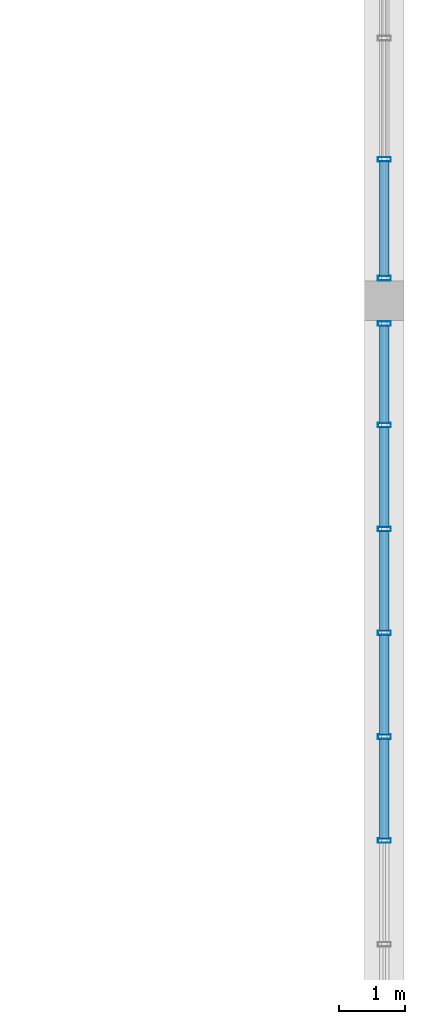
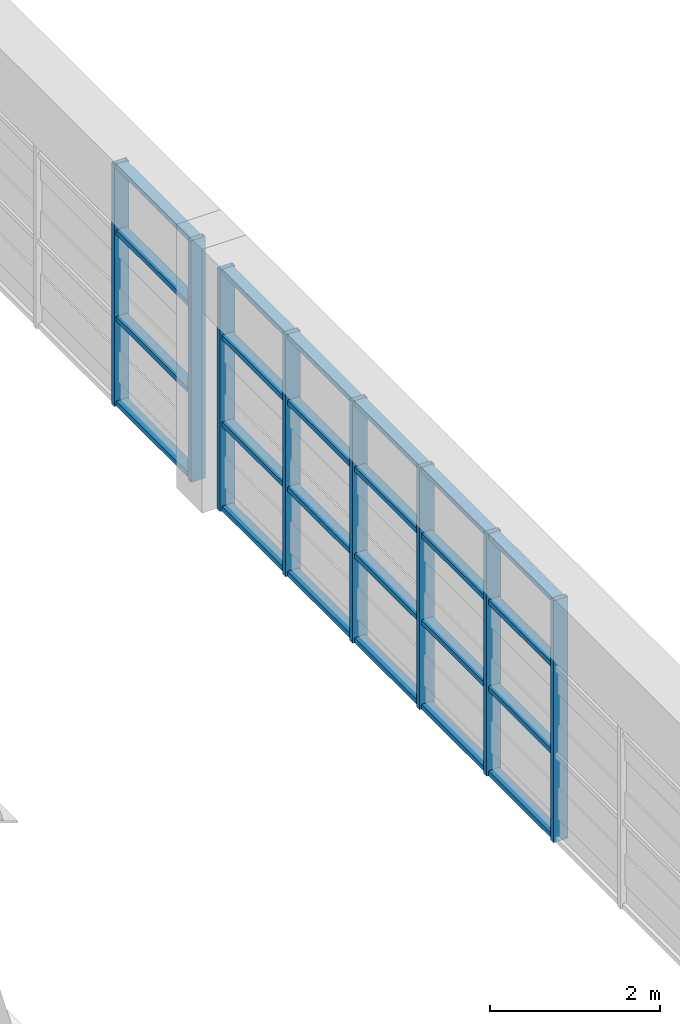
# One storey, part 16 of 27: 32 members, 2 elements without a shape of their own.
"""IFC4 building model written with IfcOpenShell, lengths in metres."""

from ifc_helpers import new_model, si_unit, direction, frame, origin, origin_2d, place, context, subcontext, project, spatial, hollow_rectangle, extrude, source, transform, mapped, material, layer, layer_set, material_profile, profile_set, type_object, element, aggregate, save


model = new_model("IFC4")

# Units and contexts
model_context = context("Model", 3, precision=1e-05, world=origin(), true_north=direction((0.0, 1.0)))
body_context = subcontext(model_context, "Body", "Model", "MODEL_VIEW")
ifc_project = project(units=[si_unit("LENGTHUNIT", "METRE"), si_unit("AREAUNIT", "SQUARE_METRE"), si_unit("VOLUMEUNIT", "CUBIC_METRE"), si_unit("PLANEANGLEUNIT", "RADIAN"), si_unit("MASSUNIT", "GRAM", prefix="KILO")], contexts=[model_context])

# Site, building, storey
site_placement = place(None, origin())
site = spatial("IfcSite", under=ifc_project, at=site_placement, CompositionType="ELEMENT")
building_placement = place(site_placement, origin())
building = spatial("IfcBuilding", under=site, at=building_placement, Name="Saelheon Loggia Tower", CompositionType="ELEMENT")
storey_placement = place(building_placement, frame((0.0, 0.0, 263.60009765625)))
storey = spatial("IfcBuildingStorey", under=building, at=storey_placement, Name="CR4", CompositionType="ELEMENT", Elevation=263.60009765625)

# Curtain wall, members
ifc_material_1 = material(Name="Bronze-Anodised Aluminium and Fritted Ceramic Screen", Category="aluminium")
ifc_layer = layer(ifc_material_1, 0.219970703125)
ifc_layer_set = layer_set([ifc_layer], Name="Bronze-Anodised Aluminium and Fritted Ceramic Screen")
curtain_wall_type = type_object("IfcCurtainWallType", Name="CW_CrownScreen", PredefinedType="NOTDEFINED", material=ifc_layer_set)
curtain_wall_1_placement = place(storey_placement, origin())
curtain_wall_1 = element("IfcCurtainWall", 1, at=curtain_wall_1_placement, inside=storey, type_object=curtain_wall_type, Name="CR4 Crown Screen Curtain Wall 3-2", PredefinedType="NOTDEFINED")
ifc_material_2 = material(Name="Bronze-Anodised Aluminium 6063-T6", Category="aluminium")
ifc_material_profile_1 = material_profile(ifc_material_2, hollow_rectangle(XDim=0.070068359375, YDim=0.199951171875, WallThickness=0.0048828125, at=origin_2d()), Name="RHS-200x70x5")
ifc_profile_set_1 = profile_set([ifc_material_profile_1], Name="Bronze-Anodised Aluminium 6063-T6")
member_type_1 = type_object("IfcMemberType", Name="CW_CrownScreen_Mullion", PredefinedType="MULLION", material=ifc_profile_set_1)
shared_shape_1 = source(origin(), body_context, "Body", "SweptSolid", [
    extrude(hollow_rectangle(XDim=0.070068359375, YDim=0.199951171875, WallThickness=0.0048828125, at=origin_2d()), origin(), (0.0, 0.0, 1.0), 3.47998046875),
])
member_1_placement = place(storey_placement, frame((52.64990234375, 27.7900390625, 0.0), z_axis=(0.0, 0.0, 1.0), x_axis=(0.0, 1.0, 0.0)))
member_1 = element("IfcMember", 2, at=member_1_placement, type_object=member_type_1, Name="CW6 mullion 7", PredefinedType="MULLION", context=body_context, shape_type="MappedRepresentation", body=[
    mapped(shared_shape_1, transform((0.0, 0.0, 0.0), scale=1.0)),
])
member_2_placement = place(storey_placement, frame((52.64990234375, 29.3701171875, 0.0), z_axis=(0.0, 0.0, 1.0), x_axis=(0.0, 1.0, 0.0)))
member_2 = element("IfcMember", 3, at=member_2_placement, type_object=member_type_1, Name="CW6 mullion 8", PredefinedType="MULLION", context=body_context, shape_type="MappedRepresentation", body=[
    mapped(shared_shape_1, transform((0.0, 0.0, 0.0), scale=1.0)),
])
member_3_placement = place(storey_placement, frame((52.64990234375, 30.949951171875, 0.0), z_axis=(0.0, 0.0, 1.0), x_axis=(0.0, 1.0, 0.0)))
member_3 = element("IfcMember", 4, at=member_3_placement, type_object=member_type_1, Name="CW6 mullion 9", PredefinedType="MULLION", context=body_context, shape_type="MappedRepresentation", body=[
    mapped(shared_shape_1, transform((0.0, 0.0, 0.0), scale=1.0)),
])
member_4_placement = place(storey_placement, frame((52.64990234375, 32.530029296875, 0.0), z_axis=(0.0, 0.0, 1.0), x_axis=(0.0, 1.0, 0.0)))
member_4 = element("IfcMember", 5, at=member_4_placement, type_object=member_type_1, Name="CW6 mullion 10", PredefinedType="MULLION", context=body_context, shape_type="MappedRepresentation", body=[
    mapped(shared_shape_1, transform((0.0, 0.0, 0.0), scale=1.0)),
])
member_5_placement = place(storey_placement, frame((52.64990234375, 34.110107421875, 0.0), z_axis=(0.0, 0.0, 1.0), x_axis=(0.0, 1.0, 0.0)))
member_5 = element("IfcMember", 6, at=member_5_placement, type_object=member_type_1, Name="CW6 mullion 11", PredefinedType="MULLION", context=body_context, shape_type="MappedRepresentation", body=[
    mapped(shared_shape_1, transform((0.0, 0.0, 0.0), scale=1.0)),
])
member_6_placement = place(storey_placement, frame((52.64990234375, 35.655029296875, 0.0), z_axis=(0.0, 0.0, 1.0), x_axis=(0.0, 1.0, 0.0)))
member_6 = element("IfcMember", 7, at=member_6_placement, type_object=member_type_1, Name="CW6 mullion 12", PredefinedType="MULLION", context=body_context, shape_type="MappedRepresentation", body=[
    mapped(shared_shape_1, transform((0.0, 0.0, 0.0), scale=1.0)),
])

curtain_wall_2_placement = place(storey_placement, origin())
curtain_wall_2 = element("IfcCurtainWall", 8, at=curtain_wall_2_placement, inside=storey, type_object=curtain_wall_type, Name="CR4 Crown Screen Curtain Wall 3-3", PredefinedType="NOTDEFINED")
member_7_placement = place(storey_placement, frame((52.64990234375, 36.344970703125, 0.0), z_axis=(0.0, 0.0, 1.0), x_axis=(0.0, 1.0, 0.0)))
member_7 = element("IfcMember", 9, at=member_7_placement, type_object=member_type_1, Name="CW6 mullion 1", PredefinedType="MULLION", context=body_context, shape_type="MappedRepresentation", body=[
    mapped(shared_shape_1, transform((0.0, 0.0, 0.0), scale=1.0)),
])
member_8_placement = place(storey_placement, frame((52.64990234375, 38.1533203125, 0.0), z_axis=(0.0, 0.0, 1.0), x_axis=(0.0, 1.0, 0.0)))
member_8 = element("IfcMember", 10, at=member_8_placement, type_object=member_type_1, Name="CW6 mullion 2", PredefinedType="MULLION", context=body_context, shape_type="MappedRepresentation", body=[
    mapped(shared_shape_1, transform((0.0, 0.0, 0.0), scale=1.0)),
])
ifc_material_profile_2 = material_profile(ifc_material_2, hollow_rectangle(XDim=0.070068359375, YDim=0.14990234375, WallThickness=0.0048828125, at=origin_2d()), Name="RHS-150x70x5")
ifc_profile_set_2 = profile_set([ifc_material_profile_2], Name="Bronze-Anodised Aluminium 6063-T6")
member_type_2 = type_object("IfcMemberType", Name="CW_CrownScreen_Transom", PredefinedType="USERDEFINED", material=ifc_profile_set_2)
shared_shape_2 = source(origin(), body_context, "Body", "SweptSolid", [
    extrude(hollow_rectangle(XDim=0.070068359375, YDim=0.14990234375, WallThickness=0.0048828125, at=origin_2d()), origin(), (0.0, 0.0, 1.0), 1.738525390625),
])
member_9_placement = place(storey_placement, frame((52.64990234375, 36.3798828125, 0.034912109375), z_axis=(0.0, 1.0, 0.0), x_axis=(0.0, 0.0, 1.0)))
member_9 = element("IfcMember", 11, at=member_9_placement, type_object=member_type_2, Name="CW6 transom 1.1", ObjectType="TRANSOM", PredefinedType="USERDEFINED", context=body_context, shape_type="MappedRepresentation", body=[
    mapped(shared_shape_2, transform((0.0, 0.0, 0.0), scale=1.0)),
])
member_10_placement = place(storey_placement, frame((52.64990234375, 36.3798828125, 1.25), z_axis=(0.0, 1.0, 0.0), x_axis=(0.0, 0.0, 1.0)))
member_10 = element("IfcMember", 12, at=member_10_placement, type_object=member_type_2, Name="CW6 transom 1.2", ObjectType="TRANSOM", PredefinedType="USERDEFINED", context=body_context, shape_type="MappedRepresentation", body=[
    mapped(shared_shape_2, transform((0.0, 0.0, 0.0), scale=1.0)),
])
member_11_placement = place(storey_placement, frame((52.64990234375, 36.3798828125, 2.5), z_axis=(0.0, 1.0, 0.0), x_axis=(0.0, 0.0, 1.0)))
member_11 = element("IfcMember", 13, at=member_11_placement, type_object=member_type_2, Name="CW6 transom 1.3", ObjectType="TRANSOM", PredefinedType="USERDEFINED", context=body_context, shape_type="MappedRepresentation", body=[
    mapped(shared_shape_2, transform((0.0, 0.0, 0.0), scale=1.0)),
])
member_12_placement = place(storey_placement, frame((52.64990234375, 36.3798828125, 3.44482421875), z_axis=(0.0, 1.0, 0.0), x_axis=(0.0, 0.0, 1.0)))
member_12 = element("IfcMember", 14, at=member_12_placement, type_object=member_type_2, Name="CW6 transom 1.4", ObjectType="TRANSOM", PredefinedType="USERDEFINED", context=body_context, shape_type="MappedRepresentation", body=[
    mapped(shared_shape_2, transform((0.0, 0.0, 0.0), scale=1.0)),
])
aggregate(curtain_wall_2, [member_7, member_8, member_9, member_10, member_11, member_12])

# Member
shared_shape_3 = source(origin(), body_context, "Body", "SweptSolid", [
    extrude(hollow_rectangle(XDim=0.070068359375, YDim=0.14990234375, WallThickness=0.0048828125, at=origin_2d()), origin(), (0.0, 0.0, 1.0), 1.47509765625),
])
member_13_placement = place(storey_placement, frame((52.64990234375, 34.14501953125, 0.034912109375), z_axis=(0.0, 1.0, 0.0), x_axis=(0.0, 0.0, 1.0)))
member_13 = element("IfcMember", 15, at=member_13_placement, type_object=member_type_2, Name="CW6 transom 11.1", ObjectType="TRANSOM", PredefinedType="USERDEFINED", context=body_context, shape_type="MappedRepresentation", body=[
    mapped(shared_shape_3, transform((0.0, 0.0, 0.0), scale=1.0)),
])

member_14_placement = place(storey_placement, frame((52.64990234375, 34.14501953125, 1.25), z_axis=(0.0, 1.0, 0.0), x_axis=(0.0, 0.0, 1.0)))
member_14 = element("IfcMember", 16, at=member_14_placement, type_object=member_type_2, Name="CW6 transom 11.2", ObjectType="TRANSOM", PredefinedType="USERDEFINED", context=body_context, shape_type="MappedRepresentation", body=[
    mapped(shared_shape_3, transform((0.0, 0.0, 0.0), scale=1.0)),
])

member_15_placement = place(storey_placement, frame((52.64990234375, 34.14501953125, 2.5), z_axis=(0.0, 1.0, 0.0), x_axis=(0.0, 0.0, 1.0)))
member_15 = element("IfcMember", 17, at=member_15_placement, type_object=member_type_2, Name="CW6 transom 11.3", ObjectType="TRANSOM", PredefinedType="USERDEFINED", context=body_context, shape_type="MappedRepresentation", body=[
    mapped(shared_shape_3, transform((0.0, 0.0, 0.0), scale=1.0)),
])

member_16_placement = place(storey_placement, frame((52.64990234375, 34.14501953125, 3.44482421875), z_axis=(0.0, 1.0, 0.0), x_axis=(0.0, 0.0, 1.0)))
member_16 = element("IfcMember", 18, at=member_16_placement, type_object=member_type_2, Name="CW6 transom 11.4", ObjectType="TRANSOM", PredefinedType="USERDEFINED", context=body_context, shape_type="MappedRepresentation", body=[
    mapped(shared_shape_3, transform((0.0, 0.0, 0.0), scale=1.0)),
])

shared_shape_4 = source(origin(), body_context, "Body", "SweptSolid", [
    extrude(hollow_rectangle(XDim=0.070068359375, YDim=0.14990234375, WallThickness=0.0048828125, at=origin_2d()), origin(), (0.0, 0.0, 1.0), 1.510009765625),
])
member_17_placement = place(storey_placement, frame((52.64990234375, 27.824951171875, 0.034912109375), z_axis=(0.0, 1.0, 0.0), x_axis=(0.0, 0.0, 1.0)))
member_17 = element("IfcMember", 19, at=member_17_placement, type_object=member_type_2, Name="CW6 transom 7.1", ObjectType="TRANSOM", PredefinedType="USERDEFINED", context=body_context, shape_type="MappedRepresentation", body=[
    mapped(shared_shape_4, transform((0.0, 0.0, 0.0), scale=1.0)),
])

member_18_placement = place(storey_placement, frame((52.64990234375, 27.824951171875, 1.25), z_axis=(0.0, 1.0, 0.0), x_axis=(0.0, 0.0, 1.0)))
member_18 = element("IfcMember", 20, at=member_18_placement, type_object=member_type_2, Name="CW6 transom 7.2", ObjectType="TRANSOM", PredefinedType="USERDEFINED", context=body_context, shape_type="MappedRepresentation", body=[
    mapped(shared_shape_4, transform((0.0, 0.0, 0.0), scale=1.0)),
])

member_19_placement = place(storey_placement, frame((52.64990234375, 27.824951171875, 2.5), z_axis=(0.0, 1.0, 0.0), x_axis=(0.0, 0.0, 1.0)))
member_19 = element("IfcMember", 21, at=member_19_placement, type_object=member_type_2, Name="CW6 transom 7.3", ObjectType="TRANSOM", PredefinedType="USERDEFINED", context=body_context, shape_type="MappedRepresentation", body=[
    mapped(shared_shape_4, transform((0.0, 0.0, 0.0), scale=1.0)),
])

member_20_placement = place(storey_placement, frame((52.64990234375, 27.824951171875, 3.44482421875), z_axis=(0.0, 1.0, 0.0), x_axis=(0.0, 0.0, 1.0)))
member_20 = element("IfcMember", 22, at=member_20_placement, type_object=member_type_2, Name="CW6 transom 7.4", ObjectType="TRANSOM", PredefinedType="USERDEFINED", context=body_context, shape_type="MappedRepresentation", body=[
    mapped(shared_shape_4, transform((0.0, 0.0, 0.0), scale=1.0)),
])

member_21_placement = place(storey_placement, frame((52.64990234375, 29.405029296875, 0.034912109375), z_axis=(0.0, 1.0, 0.0), x_axis=(0.0, 0.0, 1.0)))
member_21 = element("IfcMember", 23, at=member_21_placement, type_object=member_type_2, Name="CW6 transom 8.1", ObjectType="TRANSOM", PredefinedType="USERDEFINED", context=body_context, shape_type="MappedRepresentation", body=[
    mapped(shared_shape_4, transform((0.0, 0.0, 0.0), scale=1.0)),
])

member_22_placement = place(storey_placement, frame((52.64990234375, 29.405029296875, 1.25), z_axis=(0.0, 1.0, 0.0), x_axis=(0.0, 0.0, 1.0)))
member_22 = element("IfcMember", 24, at=member_22_placement, type_object=member_type_2, Name="CW6 transom 8.2", ObjectType="TRANSOM", PredefinedType="USERDEFINED", context=body_context, shape_type="MappedRepresentation", body=[
    mapped(shared_shape_4, transform((0.0, 0.0, 0.0), scale=1.0)),
])

member_23_placement = place(storey_placement, frame((52.64990234375, 29.405029296875, 2.5), z_axis=(0.0, 1.0, 0.0), x_axis=(0.0, 0.0, 1.0)))
member_23 = element("IfcMember", 25, at=member_23_placement, type_object=member_type_2, Name="CW6 transom 8.3", ObjectType="TRANSOM", PredefinedType="USERDEFINED", context=body_context, shape_type="MappedRepresentation", body=[
    mapped(shared_shape_4, transform((0.0, 0.0, 0.0), scale=1.0)),
])

member_24_placement = place(storey_placement, frame((52.64990234375, 29.405029296875, 3.44482421875), z_axis=(0.0, 1.0, 0.0), x_axis=(0.0, 0.0, 1.0)))
member_24 = element("IfcMember", 26, at=member_24_placement, type_object=member_type_2, Name="CW6 transom 8.4", ObjectType="TRANSOM", PredefinedType="USERDEFINED", context=body_context, shape_type="MappedRepresentation", body=[
    mapped(shared_shape_4, transform((0.0, 0.0, 0.0), scale=1.0)),
])

member_25_placement = place(storey_placement, frame((52.64990234375, 30.985107421875, 0.034912109375), z_axis=(0.0, 1.0, 0.0), x_axis=(0.0, 0.0, 1.0)))
member_25 = element("IfcMember", 27, at=member_25_placement, type_object=member_type_2, Name="CW6 transom 9.1", ObjectType="TRANSOM", PredefinedType="USERDEFINED", context=body_context, shape_type="MappedRepresentation", body=[
    mapped(shared_shape_4, transform((0.0, 0.0, 0.0), scale=1.0)),
])

member_26_placement = place(storey_placement, frame((52.64990234375, 30.985107421875, 1.25), z_axis=(0.0, 1.0, 0.0), x_axis=(0.0, 0.0, 1.0)))
member_26 = element("IfcMember", 28, at=member_26_placement, type_object=member_type_2, Name="CW6 transom 9.2", ObjectType="TRANSOM", PredefinedType="USERDEFINED", context=body_context, shape_type="MappedRepresentation", body=[
    mapped(shared_shape_4, transform((0.0, 0.0, 0.0), scale=1.0)),
])

member_27_placement = place(storey_placement, frame((52.64990234375, 30.985107421875, 2.5), z_axis=(0.0, 1.0, 0.0), x_axis=(0.0, 0.0, 1.0)))
member_27 = element("IfcMember", 29, at=member_27_placement, type_object=member_type_2, Name="CW6 transom 9.3", ObjectType="TRANSOM", PredefinedType="USERDEFINED", context=body_context, shape_type="MappedRepresentation", body=[
    mapped(shared_shape_4, transform((0.0, 0.0, 0.0), scale=1.0)),
])

member_28_placement = place(storey_placement, frame((52.64990234375, 30.985107421875, 3.44482421875), z_axis=(0.0, 1.0, 0.0), x_axis=(0.0, 0.0, 1.0)))
member_28 = element("IfcMember", 30, at=member_28_placement, type_object=member_type_2, Name="CW6 transom 9.4", ObjectType="TRANSOM", PredefinedType="USERDEFINED", context=body_context, shape_type="MappedRepresentation", body=[
    mapped(shared_shape_4, transform((0.0, 0.0, 0.0), scale=1.0)),
])

member_29_placement = place(storey_placement, frame((52.64990234375, 32.56494140625, 0.034912109375), z_axis=(0.0, 1.0, 0.0), x_axis=(0.0, 0.0, 1.0)))
member_29 = element("IfcMember", 31, at=member_29_placement, type_object=member_type_2, Name="CW6 transom 10.1", ObjectType="TRANSOM", PredefinedType="USERDEFINED", context=body_context, shape_type="MappedRepresentation", body=[
    mapped(shared_shape_4, transform((0.0, 0.0, 0.0), scale=1.0)),
])

member_30_placement = place(storey_placement, frame((52.64990234375, 32.56494140625, 1.25), z_axis=(0.0, 1.0, 0.0), x_axis=(0.0, 0.0, 1.0)))
member_30 = element("IfcMember", 32, at=member_30_placement, type_object=member_type_2, Name="CW6 transom 10.2", ObjectType="TRANSOM", PredefinedType="USERDEFINED", context=body_context, shape_type="MappedRepresentation", body=[
    mapped(shared_shape_4, transform((0.0, 0.0, 0.0), scale=1.0)),
])

member_31_placement = place(storey_placement, frame((52.64990234375, 32.56494140625, 2.5), z_axis=(0.0, 1.0, 0.0), x_axis=(0.0, 0.0, 1.0)))
member_31 = element("IfcMember", 33, at=member_31_placement, type_object=member_type_2, Name="CW6 transom 10.3", ObjectType="TRANSOM", PredefinedType="USERDEFINED", context=body_context, shape_type="MappedRepresentation", body=[
    mapped(shared_shape_4, transform((0.0, 0.0, 0.0), scale=1.0)),
])

member_32_placement = place(storey_placement, frame((52.64990234375, 32.56494140625, 3.44482421875), z_axis=(0.0, 1.0, 0.0), x_axis=(0.0, 0.0, 1.0)))
member_32 = element("IfcMember", 34, at=member_32_placement, type_object=member_type_2, Name="CW6 transom 10.4", ObjectType="TRANSOM", PredefinedType="USERDEFINED", context=body_context, shape_type="MappedRepresentation", body=[
    mapped(shared_shape_4, transform((0.0, 0.0, 0.0), scale=1.0)),
])

aggregate(curtain_wall_1, [member_1, member_2, member_3, member_4, member_5, member_6, member_17, member_18, member_19, member_20, member_21, member_22, member_23, member_24, member_25, member_26, member_27, member_28, member_29, member_30, member_31, member_32, member_13, member_14, member_15, member_16])

save(model, "model.ifc")
